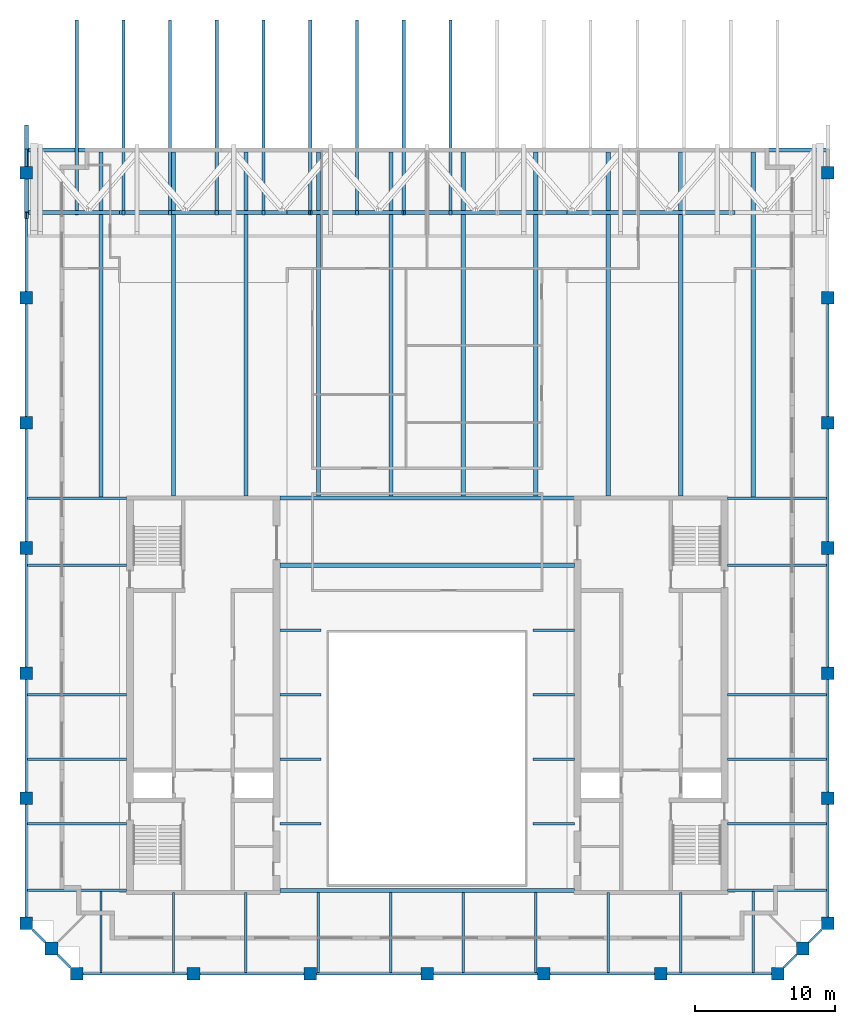
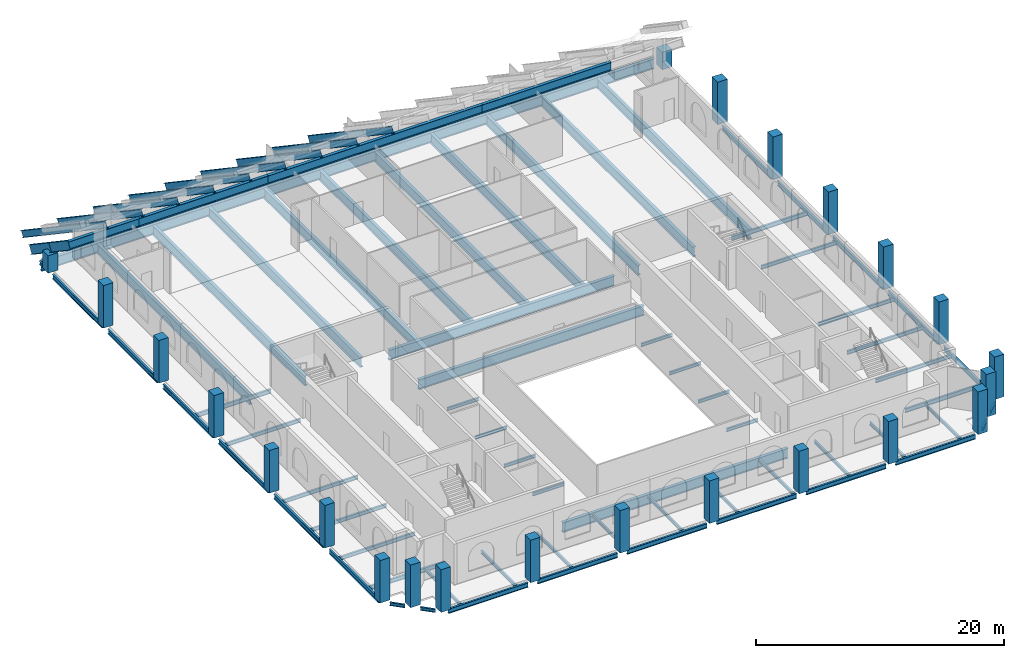
# One storey, part 1 of 9: 72 beams, 23 columns, 9 members.
"""IFC4 building model written with IfcOpenShell, lengths in metres."""

from ifc_helpers import new_model, si_unit, direction, frame, origin, origin_2d, place, context, subcontext, project, spatial, rectangle, i_section, extrude, material, material_profile, profile_set, type_object, element, save


model = new_model("IFC4")

# Units and contexts
model_context = context("Model", 3, precision=1e-05, world=origin(), true_north=direction((0.0, 1.0)))
body_context = subcontext(model_context, "Body", "Model", "MODEL_VIEW")
ifc_project = project(units=[si_unit("LENGTHUNIT", "METRE"), si_unit("AREAUNIT", "SQUARE_METRE"), si_unit("VOLUMEUNIT", "CUBIC_METRE"), si_unit("PLANEANGLEUNIT", "RADIAN"), si_unit("MASSUNIT", "GRAM", prefix="KILO")], contexts=[model_context])

# Site, building, storey
site_placement = place(None, origin())
site = spatial("IfcSite", under=ifc_project, at=site_placement, CompositionType="ELEMENT")
building_placement = place(site_placement, origin())
building = spatial("IfcBuilding", under=site, at=building_placement, Name="Ogive Exchange Tower", CompositionType="ELEMENT")
storey_placement = place(building_placement, frame((0.0, 0.0, 373.199951171875)))
storey = spatial("IfcBuildingStorey", under=building, at=storey_placement, Name="C02", CompositionType="ELEMENT", Elevation=373.199951171875)

# Columns
ifc_material_1 = material(Name="Precast concrete C70/85 (limestone faced)", Category="masonry")
ifc_material_profile_1 = material_profile(ifc_material_1, rectangle(XDim=0.89990234375, YDim=0.89990234375, at=origin_2d()), Name="900 x 900")
ifc_profile_set_1 = profile_set([ifc_material_profile_1], Name="Precast concrete C70/85 (limestone faced)")
column_type = type_object("IfcColumnType", Name="Precast exoskeleton leg 900 x 900 C70/85", PredefinedType="COLUMN", material=ifc_profile_set_1)
for number, where, z_axis, x_axis, name in (
    (1, (-25.050048828125, -8.39990234375, 0.0), (0.0, 0.0, 1.0), (1.0, 0.0, 0.0), "Crown leg 1"),
    (2, (-16.699951171875, -8.39990234375, 0.0), (0.0, 0.0, 1.0), (1.0, 0.0, 0.0), "Crown leg 2"),
    (3, (-8.35009765625, -8.39990234375, 0.0), (0.0, 0.0, 1.0), (1.0, 0.0, 0.0), "Crown leg 3"),
    (4, (0.0, -8.39990234375, 0.0), (0.0, 0.0, 1.0), (1.0, 0.0, 0.0), "Crown leg 4"),
    (5, (8.35009765625, -8.39990234375, 0.0), (0.0, 0.0, 1.0), (1.0, 0.0, 0.0), "Crown leg 5"),
    (6, (16.699951171875, -8.39990234375, 0.0), (0.0, 0.0, 1.0), (1.0, 0.0, 0.0), "Crown leg 6"),
    (7, (25.050048828125, -8.39990234375, 0.0), (0.0, 0.0, 1.0), (1.0, 0.0, 0.0), "Crown leg 7"),
    (8, (28.64990234375, -4.800048828125, 0.0), (0.0, 0.0, 1.0), (1.0, 0.0, 0.0), "Crown leg 8"),
    (9, (28.64990234375, 4.142822265625, 0.0), (0.0, 0.0, 1.0), (1.0, 0.0, 0.0), "Crown leg 9"),
    (10, (28.64990234375, 13.085693359375, 0.0), (0.0, 0.0, 1.0), (1.0, 0.0, 0.0), "Crown leg 10"),
    (11, (28.64990234375, 22.028564453125, 0.0), (0.0, 0.0, 1.0), (1.0, 0.0, 0.0), "Crown leg 11"),
    (12, (28.64990234375, 30.971435546875, 0.0), (0.0, 0.0, 1.0), (1.0, 0.0, 0.0), "Crown leg 12"),
    (13, (28.64990234375, 39.914306640625, 0.0), (0.0, 0.0, 1.0), (1.0, 0.0, 0.0), "Crown leg 13"),
):
    element("IfcColumn", number, at=place(storey_placement, frame(where, z_axis=z_axis, x_axis=x_axis)), inside=storey, type_object=column_type, Name=name, PredefinedType="COLUMN", context=body_context, shape_type="SweptSolid", body=[
        extrude(rectangle(XDim=0.89990234375, YDim=0.89990234375, at=origin_2d()), origin(), (0.0, 0.0, 1.0), 4.199951171875),
    ])
for number, where, z_axis, x_axis, name in (
    (14, (28.64990234375, 48.857177734375, 0.0), (0.0, 0.0, 1.0), (1.0, 0.0, 0.0), "Crown leg 14"),
    (15, (-28.64990234375, 48.857177734375, 0.0), (0.0, 0.0, 1.0), (1.0, 0.0, 0.0), "Crown leg 24"),
):
    element("IfcColumn", number, at=place(storey_placement, frame(where, z_axis=z_axis, x_axis=x_axis)), inside=storey, type_object=column_type, Name=name, PredefinedType="COLUMN", context=body_context, shape_type="SweptSolid", body=[
        extrude(rectangle(XDim=0.89990234375, YDim=0.89990234375, at=origin_2d()), origin(), (0.0, 0.0, 1.0), 1.718994140625),
    ])
for number, where, z_axis, x_axis, name in (
    (16, (-28.64990234375, 39.914306640625, 0.0), (0.0, 0.0, 1.0), (1.0, 0.0, 0.0), "Crown leg 25"),
    (17, (-28.64990234375, 30.971435546875, 0.0), (0.0, 0.0, 1.0), (1.0, 0.0, 0.0), "Crown leg 26"),
    (18, (-28.64990234375, 22.028564453125, 0.0), (0.0, 0.0, 1.0), (1.0, 0.0, 0.0), "Crown leg 27"),
    (19, (-28.64990234375, 13.085693359375, 0.0), (0.0, 0.0, 1.0), (1.0, 0.0, 0.0), "Crown leg 28"),
    (20, (-28.64990234375, 4.142822265625, 0.0), (0.0, 0.0, 1.0), (1.0, 0.0, 0.0), "Crown leg 29"),
    (21, (-28.64990234375, -4.800048828125, 0.0), (0.0, 0.0, 1.0), (1.0, 0.0, 0.0), "Crown leg 30"),
    (22, (26.85009765625, -6.60009765625, 0.0), (0.0, 0.0, 1.0), (1.0, 0.0, 0.0), "Crown leg 31"),
    (23, (-26.85009765625, -6.60009765625, 0.0), (0.0, 0.0, 1.0), (1.0, 0.0, 0.0), "Crown leg 34"),
):
    element("IfcColumn", number, at=place(storey_placement, frame(where, z_axis=z_axis, x_axis=x_axis)), inside=storey, type_object=column_type, Name=name, PredefinedType="COLUMN", context=body_context, shape_type="SweptSolid", body=[
        extrude(rectangle(XDim=0.89990234375, YDim=0.89990234375, at=origin_2d()), origin(), (0.0, 0.0, 1.0), 4.199951171875),
    ])

# Beams
ifc_material_2 = material(Name="Steel ASTM A992 Gr50", Category="steel")
ifc_material_profile_2 = material_profile(ifc_material_2, i_section(OverallWidth=0.2919921875, OverallDepth=0.8359375, WebThickness=0.013916015625, FlangeThickness=0.018798828125, at=origin_2d()), Name="W840x176")
ifc_profile_set_2 = profile_set([ifc_material_profile_2], Name="Steel ASTM A992 Gr50")
beam_type_1 = type_object("IfcBeamType", Name="Crown purlin W840x176", PredefinedType="BEAM", material=ifc_profile_set_2)
beam_1_placement = place(storey_placement, frame((-28.64990234375, 46.0, 4.06396484375), z_axis=(1.0, 0.0, 0.0), x_axis=(0.0, 1.0, 0.0)))
element("IfcBeam", 24, at=beam_1_placement, inside=storey, type_object=beam_type_1, Name="Crown purlin", PredefinedType="BEAM", context=body_context, shape_type="SweptSolid", body=[
    extrude(i_section(OverallWidth=0.2919921875, OverallDepth=0.8359375, WebThickness=0.013916015625, FlangeThickness=0.018798828125, at=origin_2d()), origin(), (0.0, 0.0, 1.0), 6.64990234375),
])
beam_2_placement = place(storey_placement, frame((-22.0, 46.0, 4.06396484375), z_axis=(1.0, 0.0, 0.0), x_axis=(0.0, 1.0, 0.0)))
element("IfcBeam", 25, at=beam_2_placement, inside=storey, type_object=beam_type_1, Name="Crown purlin", PredefinedType="BEAM", context=body_context, shape_type="SweptSolid", body=[
    extrude(i_section(OverallWidth=0.2919921875, OverallDepth=0.8359375, WebThickness=0.013916015625, FlangeThickness=0.018798828125, at=origin_2d()), origin(), (0.0, 0.0, 1.0), 12.0),
])
beam_3_placement = place(storey_placement, frame((-10.0, 46.0, 4.06396484375), z_axis=(1.0, 0.0, 0.0), x_axis=(0.0, 1.0, 0.0)))
element("IfcBeam", 26, at=beam_3_placement, inside=storey, type_object=beam_type_1, Name="Crown purlin", PredefinedType="BEAM", context=body_context, shape_type="SweptSolid", body=[
    extrude(i_section(OverallWidth=0.2919921875, OverallDepth=0.8359375, WebThickness=0.013916015625, FlangeThickness=0.018798828125, at=origin_2d()), origin(), (0.0, 0.0, 1.0), 20.0),
])
beam_4_placement = place(storey_placement, frame((10.0, 46.0, 4.06396484375), z_axis=(1.0, 0.0, 0.0), x_axis=(0.0, 1.0, 0.0)))
element("IfcBeam", 27, at=beam_4_placement, inside=storey, type_object=beam_type_1, Name="Crown purlin", PredefinedType="BEAM", context=body_context, shape_type="SweptSolid", body=[
    extrude(i_section(OverallWidth=0.2919921875, OverallDepth=0.8359375, WebThickness=0.013916015625, FlangeThickness=0.018798828125, at=origin_2d()), origin(), (0.0, 0.0, 1.0), 12.0),
])

# Members
ifc_material_profile_3 = material_profile(ifc_material_2, i_section(OverallWidth=0.22900390625, OverallDepth=0.612060546875, WebThickness=0.011962890625, FlangeThickness=0.01953125, at=origin_2d()), Name="W610x125")
ifc_profile_set_3 = profile_set([ifc_material_profile_3], Name="Steel ASTM A992 Gr50")
member_type = type_object("IfcMemberType", Name="Crown rafter W610x125", PredefinedType="RAFTER", material=ifc_profile_set_3)
for number, where, z_axis, x_axis, name in (
    (28, (-25.050048828125, 46.0, 4.850830078125), (0.0, 0.829045654715, -0.559180920989), (-1.0, 0.0, 0.0), "Crown rafter"),
    (29, (-21.7099609375, 46.0, 4.850830078125), (0.0, 0.829045654715, -0.559180920989), (-1.0, 0.0, 0.0), "Crown rafter"),
    (30, (-18.3701171875, 46.0, 4.850830078125), (0.0, 0.829045654715, -0.559180920989), (-1.0, 0.0, 0.0), "Crown rafter"),
    (31, (-15.030029296875, 46.0, 4.850830078125), (0.0, 0.829045654715, -0.559180920989), (-1.0, 0.0, 0.0), "Crown rafter"),
    (32, (-11.68994140625, 46.0, 4.850830078125), (0.0, 0.829045654715, -0.559180920989), (-1.0, 0.0, 0.0), "Crown rafter"),
    (33, (-8.35009765625, 46.0, 4.850830078125), (0.0, 0.829045654715, -0.559180920989), (-1.0, 0.0, 0.0), "Crown rafter"),
    (34, (-5.010009765625, 46.0, 4.850830078125), (0.0, 0.829045654715, -0.559180920989), (-1.0, 0.0, 0.0), "Crown rafter"),
    (35, (-1.669921875, 46.0, 4.850830078125), (0.0, 0.829045654715, -0.559180920989), (-1.0, 0.0, 0.0), "Crown rafter"),
    (36, (1.669921875, 46.0, 4.850830078125), (0.0, 0.829045654715, -0.559180920989), (-1.0, 0.0, 0.0), "Crown rafter"),
):
    element("IfcMember", number, at=place(storey_placement, frame(where, z_axis=z_axis, x_axis=x_axis)), inside=storey, type_object=member_type, Name=name, PredefinedType="RAFTER", context=body_context, shape_type="SweptSolid", body=[
        extrude(i_section(OverallWidth=0.22900390625, OverallDepth=0.612060546875, WebThickness=0.011962890625, FlangeThickness=0.01953125, at=origin_2d()), origin(), (0.0, 0.0, 1.0), 16.404541015625),
    ])

# Beams
ifc_material_profile_4 = material_profile(ifc_material_2, i_section(OverallWidth=0.2919921875, OverallDepth=0.8359375, WebThickness=0.013916015625, FlangeThickness=0.018798828125, at=origin_2d()), Name="W840x176")
ifc_profile_set_4 = profile_set([ifc_material_profile_4], Name="Steel ASTM A992 Gr50")
beam_type_2 = type_object("IfcBeamType", Name="Crown raking ring beam W840x176", PredefinedType="BEAM", material=ifc_profile_set_4)
beam_5_placement = place(storey_placement, frame((-28.64990234375, 52.025390625, 0.0), z_axis=(0.0, -0.829040446051, 0.559188643314), x_axis=(1.0, 0.0, 0.0)))
element("IfcBeam", 37, at=beam_5_placement, inside=storey, type_object=beam_type_2, Name="Crown ring beam 26", PredefinedType="BEAM", context=body_context, shape_type="SweptSolid", body=[
    extrude(i_section(OverallWidth=0.2919921875, OverallDepth=0.8359375, WebThickness=0.013916015625, FlangeThickness=0.018798828125, at=origin_2d()), origin(), (0.0, 0.0, 1.0), 3.821533203125),
])
beam_6_placement = place(storey_placement, frame((-28.64990234375, 48.857177734375, 2.136962890625), z_axis=(0.0, -0.829045018091, 0.559181864852), x_axis=(1.0, 0.0, 0.0)))
element("IfcBeam", 38, at=beam_6_placement, inside=storey, type_object=beam_type_2, Name="Crown ring beam 27", PredefinedType="BEAM", context=body_context, shape_type="SweptSolid", body=[
    extrude(i_section(OverallWidth=0.2919921875, OverallDepth=0.8359375, WebThickness=0.013916015625, FlangeThickness=0.018798828125, at=origin_2d()), origin(), (0.0, 0.0, 1.0), 3.689208984375),
])
ifc_material_profile_5 = material_profile(ifc_material_2, i_section(OverallWidth=0.300048828125, OverallDepth=0.97998046875, WebThickness=0.0166015625, FlangeThickness=0.026123046875, at=origin_2d()), Name="W1000x249")
ifc_profile_set_5 = profile_set([ifc_material_profile_5], Name="Steel ASTM A992 Gr50")
beam_type_3 = type_object("IfcBeamType", Name="Floor beam W1000x249", PredefinedType="JOIST", material=ifc_profile_set_5)
beam_7_placement = place(storey_placement, frame((-10.52001953125, 20.797607421875, -0.68994140625), z_axis=(1.0, 0.0, 0.0), x_axis=(0.0, 1.0, 0.0)))
element("IfcBeam", 39, at=beam_7_placement, inside=storey, type_object=beam_type_3, Name="Floor beam", PredefinedType="JOIST", context=body_context, shape_type="SweptSolid", body=[
    extrude(i_section(OverallWidth=0.300048828125, OverallDepth=0.97998046875, WebThickness=0.0166015625, FlangeThickness=0.026123046875, at=origin_2d()), origin(), (0.0, 0.0, 1.0), 21.0400390625),
])
beam_8_placement = place(storey_placement, frame((-23.314208984375, 25.68408203125, -0.68994140625), z_axis=(0.0, 1.0, 0.0), x_axis=(-1.0, 0.0, 0.0)))
element("IfcBeam", 40, at=beam_8_placement, inside=storey, type_object=beam_type_3, Name="Floor beam", PredefinedType="JOIST", context=body_context, shape_type="SweptSolid", body=[
    extrude(i_section(OverallWidth=0.300048828125, OverallDepth=0.97998046875, WebThickness=0.0166015625, FlangeThickness=0.026123046875, at=origin_2d()), origin(), (0.0, 0.0, 1.0), 24.638916015625),
])
for number, where, z_axis, x_axis, name in (
    (41, (-18.13330078125, 25.75, -0.68994140625), (0.0, 1.0, 0.0), (-1.0, 0.0, 0.0), "Floor beam"),
    (42, (-12.952392578125, 25.75, -0.68994140625), (0.0, 1.0, 0.0), (-1.0, 0.0, 0.0), "Floor beam"),
):
    element("IfcBeam", number, at=place(storey_placement, frame(where, z_axis=z_axis, x_axis=x_axis)), inside=storey, type_object=beam_type_3, Name=name, PredefinedType="JOIST", context=body_context, shape_type="SweptSolid", body=[
        extrude(i_section(OverallWidth=0.300048828125, OverallDepth=0.97998046875, WebThickness=0.0166015625, FlangeThickness=0.026123046875, at=origin_2d()), origin(), (0.0, 0.0, 1.0), 24.572998046875),
    ])
for number, where, z_axis, x_axis, name in (
    (43, (-7.771484375, 25.7451171875, -0.68994140625), (0.0, 1.0, 0.0), (-1.0, 0.0, 0.0), "Floor beam"),
    (44, (-2.590576171875, 25.7451171875, -0.68994140625), (0.0, 1.0, 0.0), (-1.0, 0.0, 0.0), "Floor beam"),
    (45, (2.590576171875, 25.7451171875, -0.68994140625), (0.0, 1.0, 0.0), (-1.0, 0.0, 0.0), "Floor beam"),
    (46, (7.771484375, 25.7451171875, -0.68994140625), (0.0, 1.0, 0.0), (-1.0, 0.0, 0.0), "Floor beam"),
):
    element("IfcBeam", number, at=place(storey_placement, frame(where, z_axis=z_axis, x_axis=x_axis)), inside=storey, type_object=beam_type_3, Name=name, PredefinedType="JOIST", context=body_context, shape_type="SweptSolid", body=[
        extrude(i_section(OverallWidth=0.300048828125, OverallDepth=0.97998046875, WebThickness=0.0166015625, FlangeThickness=0.026123046875, at=origin_2d()), origin(), (0.0, 0.0, 1.0), 24.577880859375),
    ])
for number, where, z_axis, x_axis, name in (
    (47, (12.952392578125, 25.75, -0.68994140625), (0.0, 1.0, 0.0), (-1.0, 0.0, 0.0), "Floor beam"),
    (48, (18.13330078125, 25.75, -0.68994140625), (0.0, 1.0, 0.0), (-1.0, 0.0, 0.0), "Floor beam"),
):
    element("IfcBeam", number, at=place(storey_placement, frame(where, z_axis=z_axis, x_axis=x_axis)), inside=storey, type_object=beam_type_3, Name=name, PredefinedType="JOIST", context=body_context, shape_type="SweptSolid", body=[
        extrude(i_section(OverallWidth=0.300048828125, OverallDepth=0.97998046875, WebThickness=0.0166015625, FlangeThickness=0.026123046875, at=origin_2d()), origin(), (0.0, 0.0, 1.0), 24.572998046875),
    ])
beam_9_placement = place(storey_placement, frame((23.314208984375, 25.68408203125, -0.68994140625), z_axis=(0.0, 1.0, 0.0), x_axis=(-1.0, 0.0, 0.0)))
element("IfcBeam", 49, at=beam_9_placement, inside=storey, type_object=beam_type_3, Name="Floor beam", PredefinedType="JOIST", context=body_context, shape_type="SweptSolid", body=[
    extrude(i_section(OverallWidth=0.300048828125, OverallDepth=0.97998046875, WebThickness=0.0166015625, FlangeThickness=0.026123046875, at=origin_2d()), origin(), (0.0, 0.0, 1.0), 24.638916015625),
])
ifc_material_profile_6 = material_profile(ifc_material_2, i_section(OverallWidth=0.1650390625, OverallDepth=0.31005859375, WebThickness=0.005859375, FlangeThickness=0.009765625, at=origin_2d()), Name="W310x38.7")
ifc_profile_set_6 = profile_set([ifc_material_profile_6], Name="Steel ASTM A992 Gr50")
beam_type_4 = type_object("IfcBeamType", Name="Floor beam W310x38.7", PredefinedType="JOIST", material=ifc_profile_set_6)
for number, where, z_axis, x_axis, name in (
    (50, (-10.52001953125, 2.3212890625, -0.35498046875), (1.0, 0.0, 0.0), (0.0, 1.0, 0.0), "Floor beam"),
    (51, (7.570068359375, 2.3212890625, -0.35498046875), (1.0, 0.0, 0.0), (0.0, 1.0, 0.0), "Floor beam"),
    (52, (-10.52001953125, 6.9326171875, -0.35498046875), (1.0, 0.0, 0.0), (0.0, 1.0, 0.0), "Floor beam"),
    (53, (7.570068359375, 6.9326171875, -0.35498046875), (1.0, 0.0, 0.0), (0.0, 1.0, 0.0), "Floor beam"),
    (54, (-10.52001953125, 11.543701171875, -0.35498046875), (1.0, 0.0, 0.0), (0.0, 1.0, 0.0), "Floor beam"),
    (55, (7.570068359375, 11.543701171875, -0.35498046875), (1.0, 0.0, 0.0), (0.0, 1.0, 0.0), "Floor beam"),
):
    element("IfcBeam", number, at=place(storey_placement, frame(where, z_axis=z_axis, x_axis=x_axis)), inside=storey, type_object=beam_type_4, Name=name, PredefinedType="JOIST", context=body_context, shape_type="SweptSolid", body=[
        extrude(i_section(OverallWidth=0.1650390625, OverallDepth=0.31005859375, WebThickness=0.005859375, FlangeThickness=0.009765625, at=origin_2d()), origin(), (0.0, 0.0, 1.0), 2.949951171875),
    ])
beam_10_placement = place(storey_placement, frame((-23.314208984375, -8.304443359375, -0.35498046875), z_axis=(0.0, 1.0, 0.0), x_axis=(-1.0, 0.0, 0.0)))
element("IfcBeam", 56, at=beam_10_placement, inside=storey, type_object=beam_type_4, Name="Floor beam", PredefinedType="JOIST", context=body_context, shape_type="SweptSolid", body=[
    extrude(i_section(OverallWidth=0.1650390625, OverallDepth=0.31005859375, WebThickness=0.005859375, FlangeThickness=0.009765625, at=origin_2d()), origin(), (0.0, 0.0, 1.0), 5.7705078125),
])
for number, where, z_axis, x_axis, name in (
    (57, (-18.13330078125, -8.304443359375, -0.35498046875), (0.0, 1.0, 0.0), (-1.0, 0.0, 0.0), "Floor beam"),
    (58, (-12.952392578125, -8.304443359375, -0.35498046875), (0.0, 1.0, 0.0), (-1.0, 0.0, 0.0), "Floor beam"),
):
    element("IfcBeam", number, at=place(storey_placement, frame(where, z_axis=z_axis, x_axis=x_axis)), inside=storey, type_object=beam_type_4, Name=name, PredefinedType="JOIST", context=body_context, shape_type="SweptSolid", body=[
        extrude(i_section(OverallWidth=0.1650390625, OverallDepth=0.31005859375, WebThickness=0.005859375, FlangeThickness=0.009765625, at=origin_2d()), origin(), (0.0, 0.0, 1.0), 5.704345703125),
    ])
for number, where, z_axis, x_axis, name in (
    (59, (-7.771484375, -8.304443359375, -0.35498046875), (0.0, 1.0, 0.0), (-1.0, 0.0, 0.0), "Floor beam"),
    (60, (-2.590576171875, -8.304443359375, -0.35498046875), (0.0, 1.0, 0.0), (-1.0, 0.0, 0.0), "Floor beam"),
    (61, (2.590576171875, -8.304443359375, -0.35498046875), (0.0, 1.0, 0.0), (-1.0, 0.0, 0.0), "Floor beam"),
    (62, (7.771484375, -8.304443359375, -0.35498046875), (0.0, 1.0, 0.0), (-1.0, 0.0, 0.0), "Floor beam"),
):
    element("IfcBeam", number, at=place(storey_placement, frame(where, z_axis=z_axis, x_axis=x_axis)), inside=storey, type_object=beam_type_4, Name=name, PredefinedType="JOIST", context=body_context, shape_type="SweptSolid", body=[
        extrude(i_section(OverallWidth=0.1650390625, OverallDepth=0.31005859375, WebThickness=0.005859375, FlangeThickness=0.009765625, at=origin_2d()), origin(), (0.0, 0.0, 1.0), 5.70947265625),
    ])
for number, where, z_axis, x_axis, name in (
    (63, (12.952392578125, -8.304443359375, -0.35498046875), (0.0, 1.0, 0.0), (-1.0, 0.0, 0.0), "Floor beam"),
    (64, (18.13330078125, -8.304443359375, -0.35498046875), (0.0, 1.0, 0.0), (-1.0, 0.0, 0.0), "Floor beam"),
):
    element("IfcBeam", number, at=place(storey_placement, frame(where, z_axis=z_axis, x_axis=x_axis)), inside=storey, type_object=beam_type_4, Name=name, PredefinedType="JOIST", context=body_context, shape_type="SweptSolid", body=[
        extrude(i_section(OverallWidth=0.1650390625, OverallDepth=0.31005859375, WebThickness=0.005859375, FlangeThickness=0.009765625, at=origin_2d()), origin(), (0.0, 0.0, 1.0), 5.704345703125),
    ])
beam_11_placement = place(storey_placement, frame((23.314208984375, -8.304443359375, -0.35498046875), z_axis=(0.0, 1.0, 0.0), x_axis=(-1.0, 0.0, 0.0)))
element("IfcBeam", 65, at=beam_11_placement, inside=storey, type_object=beam_type_4, Name="Floor beam", PredefinedType="JOIST", context=body_context, shape_type="SweptSolid", body=[
    extrude(i_section(OverallWidth=0.1650390625, OverallDepth=0.31005859375, WebThickness=0.005859375, FlangeThickness=0.009765625, at=origin_2d()), origin(), (0.0, 0.0, 1.0), 5.7705078125),
])
ifc_material_profile_7 = material_profile(ifc_material_2, i_section(OverallWidth=0.1708984375, OverallDepth=0.35595703125, WebThickness=0.00732421875, FlangeThickness=0.01171875, at=origin_2d()), Name="W360x51")
ifc_profile_set_7 = profile_set([ifc_material_profile_7], Name="Steel ASTM A992 Gr50")
beam_type_5 = type_object("IfcBeamType", Name="Floor beam W360x51", PredefinedType="JOIST", material=ifc_profile_set_7)
for number, where, z_axis, x_axis, name in (
    (66, (-28.554443359375, 2.3212890625, -0.3779296875), (1.0, 0.0, 0.0), (0.0, 1.0, 0.0), "Floor beam"),
    (67, (21.47998046875, 2.3212890625, -0.3779296875), (1.0, 0.0, 0.0), (0.0, 1.0, 0.0), "Floor beam"),
    (68, (-28.554443359375, 6.9326171875, -0.3779296875), (1.0, 0.0, 0.0), (0.0, 1.0, 0.0), "Floor beam"),
    (69, (21.47998046875, 6.9326171875, -0.3779296875), (1.0, 0.0, 0.0), (0.0, 1.0, 0.0), "Floor beam"),
    (70, (-28.554443359375, 11.543701171875, -0.3779296875), (1.0, 0.0, 0.0), (0.0, 1.0, 0.0), "Floor beam"),
    (71, (21.47998046875, 11.543701171875, -0.3779296875), (1.0, 0.0, 0.0), (0.0, 1.0, 0.0), "Floor beam"),
    (72, (-28.554443359375, 20.797607421875, -0.3779296875), (1.0, 0.0, 0.0), (0.0, 1.0, 0.0), "Floor beam"),
    (73, (21.47998046875, 20.797607421875, -0.3779296875), (1.0, 0.0, 0.0), (0.0, 1.0, 0.0), "Floor beam"),
):
    element("IfcBeam", number, at=place(storey_placement, frame(where, z_axis=z_axis, x_axis=x_axis)), inside=storey, type_object=beam_type_5, Name=name, PredefinedType="JOIST", context=body_context, shape_type="SweptSolid", body=[
        extrude(i_section(OverallWidth=0.1708984375, OverallDepth=0.35595703125, WebThickness=0.00732421875, FlangeThickness=0.01171875, at=origin_2d()), origin(), (0.0, 0.0, 1.0), 7.074462890625),
    ])
ifc_material_profile_8 = material_profile(ifc_material_2, i_section(OverallWidth=0.300048828125, OverallDepth=0.97998046875, WebThickness=0.0166015625, FlangeThickness=0.026123046875, at=origin_2d()), Name="W1000x249")
ifc_profile_set_8 = profile_set([ifc_material_profile_8], Name="Steel ASTM A992 Gr50")
beam_type_6 = type_object("IfcBeamType", Name="Girder W1000x249", PredefinedType="BEAM", material=ifc_profile_set_8)
beam_12_placement = place(storey_placement, frame((-28.5673828125, 50.472900390625, -0.68994140625), z_axis=(1.0, 0.0, 0.0), x_axis=(0.0, 1.0, 0.0)))
element("IfcBeam", 74, at=beam_12_placement, inside=storey, type_object=beam_type_6, Name="Trimmer girder", PredefinedType="BEAM", context=body_context, shape_type="SweptSolid", body=[
    extrude(i_section(OverallWidth=0.300048828125, OverallDepth=0.97998046875, WebThickness=0.0166015625, FlangeThickness=0.026123046875, at=origin_2d()), origin(), (0.0, 0.0, 1.0), 57.134765625),
])
for number, where, z_axis, x_axis, name in (
    (75, (-10.52001953125, -2.445068359375, -0.68994140625), (1.0, 0.0, 0.0), (0.0, 1.0, 0.0), "Header girder"),
    (76, (-10.52001953125, 25.594970703125, -0.68994140625), (1.0, 0.0, 0.0), (0.0, 1.0, 0.0), "Header girder"),
):
    element("IfcBeam", number, at=place(storey_placement, frame(where, z_axis=z_axis, x_axis=x_axis)), inside=storey, type_object=beam_type_6, Name=name, PredefinedType="BEAM", context=body_context, shape_type="SweptSolid", body=[
        extrude(i_section(OverallWidth=0.300048828125, OverallDepth=0.97998046875, WebThickness=0.0166015625, FlangeThickness=0.026123046875, at=origin_2d()), origin(), (0.0, 0.0, 1.0), 21.0400390625),
    ])
ifc_material_profile_9 = material_profile(ifc_material_2, i_section(OverallWidth=0.1650390625, OverallDepth=0.31005859375, WebThickness=0.005859375, FlangeThickness=0.009765625, at=origin_2d()), Name="W310x38.7")
ifc_profile_set_9 = profile_set([ifc_material_profile_9], Name="Steel ASTM A992 Gr50")
beam_type_7 = type_object("IfcBeamType", Name="Girder W310x38.7", PredefinedType="BEAM", material=ifc_profile_set_9)
beam_13_placement = place(storey_placement, frame((-28.64990234375, 50.532958984375, -0.35498046875), z_axis=(0.0, -1.0, 0.0), x_axis=(1.0, 0.0, 0.0)))
element("IfcBeam", 77, at=beam_13_placement, inside=storey, type_object=beam_type_7, Name="Girder", PredefinedType="BEAM", context=body_context, shape_type="SweptSolid", body=[
    extrude(i_section(OverallWidth=0.1650390625, OverallDepth=0.31005859375, WebThickness=0.005859375, FlangeThickness=0.009765625, at=origin_2d()), origin(), (0.0, 0.0, 1.0), 1.225830078125),
])
for number, where, z_axis, x_axis, name in (
    (78, (-28.199951171875, -5.25, -0.35498046875), (0.707106781187, -0.707106781187, 0.0), (0.707106781187, 0.707106781187, 0.0), "Girder"),
    (79, (-26.39990234375, -7.050048828125, -0.35498046875), (0.707106781187, -0.707106781187, 0.0), (0.707106781187, 0.707106781187, 0.0), "Girder"),
    (80, (25.5, -7.949951171875, -0.35498046875), (0.707106781187, 0.707106781187, 0.0), (-0.707106781187, 0.707106781187, 0.0), "Girder"),
    (81, (27.300048828125, -6.14990234375, -0.35498046875), (0.707106781187, 0.707106781187, 0.0), (-0.707106781187, 0.707106781187, 0.0), "Girder"),
):
    element("IfcBeam", number, at=place(storey_placement, frame(where, z_axis=z_axis, x_axis=x_axis)), inside=storey, type_object=beam_type_7, Name=name, PredefinedType="BEAM", context=body_context, shape_type="SweptSolid", body=[
        extrude(i_section(OverallWidth=0.1650390625, OverallDepth=0.31005859375, WebThickness=0.005859375, FlangeThickness=0.009765625, at=origin_2d()), origin(), (0.0, 0.0, 1.0), 1.272705078125),
    ])
for number, where, z_axis, x_axis, name in (
    (82, (-10.52001953125, 16.155029296875, -0.35498046875), (1.0, 0.0, 0.0), (0.0, 1.0, 0.0), "Trimmer girder"),
    (83, (7.570068359375, 16.155029296875, -0.35498046875), (1.0, 0.0, 0.0), (0.0, 1.0, 0.0), "Trimmer girder"),
):
    element("IfcBeam", number, at=place(storey_placement, frame(where, z_axis=z_axis, x_axis=x_axis)), inside=storey, type_object=beam_type_7, Name=name, PredefinedType="BEAM", context=body_context, shape_type="SweptSolid", body=[
        extrude(i_section(OverallWidth=0.1650390625, OverallDepth=0.31005859375, WebThickness=0.005859375, FlangeThickness=0.009765625, at=origin_2d()), origin(), (0.0, 0.0, 1.0), 2.949951171875),
    ])
ifc_material_profile_10 = material_profile(ifc_material_2, i_section(OverallWidth=0.177978515625, OverallDepth=0.406005859375, WebThickness=0.0078125, FlangeThickness=0.0126953125, at=origin_2d()), Name="W410x60")
ifc_profile_set_10 = profile_set([ifc_material_profile_10], Name="Steel ASTM A992 Gr50")
beam_type_8 = type_object("IfcBeamType", Name="Girder W410x60", PredefinedType="BEAM", material=ifc_profile_set_10)
for number, where, z_axis, x_axis, name in (
    (84, (-28.554443359375, -2.445068359375, -0.40283203125), (1.0, 0.0, 0.0), (0.0, 1.0, 0.0), "Header girder"),
    (85, (21.47998046875, -2.445068359375, -0.40283203125), (1.0, 0.0, 0.0), (0.0, 1.0, 0.0), "Header girder"),
    (86, (-28.554443359375, 25.594970703125, -0.40283203125), (1.0, 0.0, 0.0), (0.0, 1.0, 0.0), "Header girder"),
    (87, (21.47998046875, 25.594970703125, -0.40283203125), (1.0, 0.0, 0.0), (0.0, 1.0, 0.0), "Header girder"),
):
    element("IfcBeam", number, at=place(storey_placement, frame(where, z_axis=z_axis, x_axis=x_axis)), inside=storey, type_object=beam_type_8, Name=name, PredefinedType="BEAM", context=body_context, shape_type="SweptSolid", body=[
        extrude(i_section(OverallWidth=0.177978515625, OverallDepth=0.406005859375, WebThickness=0.0078125, FlangeThickness=0.0126953125, at=origin_2d()), origin(), (0.0, 0.0, 1.0), 7.074462890625),
    ])
ifc_material_profile_11 = material_profile(ifc_material_2, i_section(OverallWidth=0.19091796875, OverallDepth=0.45703125, WebThickness=0.009033203125, FlangeThickness=0.014404296875, at=origin_2d()), Name="W460x74")
ifc_profile_set_11 = profile_set([ifc_material_profile_11], Name="Steel ASTM A992 Gr50")
beam_type_9 = type_object("IfcBeamType", Name="Girder W460x74", PredefinedType="BEAM", material=ifc_profile_set_11)
beam_14_placement = place(storey_placement, frame((28.64990234375, 31.42138671875, -0.428466796875), z_axis=(0.0, 1.0, 0.0), x_axis=(-1.0, 0.0, 0.0)))
element("IfcBeam", 88, at=beam_14_placement, inside=storey, type_object=beam_type_9, Name="Girder", PredefinedType="BEAM", context=body_context, shape_type="SweptSolid", body=[
    extrude(i_section(OverallWidth=0.19091796875, OverallDepth=0.45703125, WebThickness=0.009033203125, FlangeThickness=0.014404296875, at=origin_2d()), origin(), (0.0, 0.0, 1.0), 8.04296875),
])
beam_15_placement = place(storey_placement, frame((-28.64990234375, 48.406982421875, -0.428466796875), z_axis=(0.0, -1.0, 0.0), x_axis=(1.0, 0.0, 0.0)))
element("IfcBeam", 89, at=beam_15_placement, inside=storey, type_object=beam_type_9, Name="Girder", PredefinedType="BEAM", context=body_context, shape_type="SweptSolid", body=[
    extrude(i_section(OverallWidth=0.19091796875, OverallDepth=0.45703125, WebThickness=0.009033203125, FlangeThickness=0.014404296875, at=origin_2d()), origin(), (0.0, 0.0, 1.0), 8.042724609375),
])
for number, where, z_axis, x_axis, name in (
    (90, (-28.64990234375, 39.46435546875, -0.428466796875), (0.0, -1.0, 0.0), (1.0, 0.0, 0.0), "Girder"),
    (91, (-28.64990234375, 30.521484375, -0.428466796875), (0.0, -1.0, 0.0), (1.0, 0.0, 0.0), "Girder"),
    (92, (-28.64990234375, 21.57861328125, -0.428466796875), (0.0, -1.0, 0.0), (1.0, 0.0, 0.0), "Girder"),
):
    element("IfcBeam", number, at=place(storey_placement, frame(where, z_axis=z_axis, x_axis=x_axis)), inside=storey, type_object=beam_type_9, Name=name, PredefinedType="BEAM", context=body_context, shape_type="SweptSolid", body=[
        extrude(i_section(OverallWidth=0.19091796875, OverallDepth=0.45703125, WebThickness=0.009033203125, FlangeThickness=0.014404296875, at=origin_2d()), origin(), (0.0, 0.0, 1.0), 8.04296875),
    ])
beam_16_placement = place(storey_placement, frame((-28.64990234375, 12.6357421875, -0.428466796875), z_axis=(0.0, -1.0, 0.0), x_axis=(1.0, 0.0, 0.0)))
element("IfcBeam", 93, at=beam_16_placement, inside=storey, type_object=beam_type_9, Name="Girder", PredefinedType="BEAM", context=body_context, shape_type="SweptSolid", body=[
    extrude(i_section(OverallWidth=0.19091796875, OverallDepth=0.45703125, WebThickness=0.009033203125, FlangeThickness=0.014404296875, at=origin_2d()), origin(), (0.0, 0.0, 1.0), 8.042724609375),
])
beam_17_placement = place(storey_placement, frame((-28.64990234375, 3.69287109375, -0.428466796875), z_axis=(0.0, -1.0, 0.0), x_axis=(1.0, 0.0, 0.0)))
element("IfcBeam", 94, at=beam_17_placement, inside=storey, type_object=beam_type_9, Name="Girder", PredefinedType="BEAM", context=body_context, shape_type="SweptSolid", body=[
    extrude(i_section(OverallWidth=0.19091796875, OverallDepth=0.45703125, WebThickness=0.009033203125, FlangeThickness=0.014404296875, at=origin_2d()), origin(), (0.0, 0.0, 1.0), 8.04296875),
])
beam_18_placement = place(storey_placement, frame((-24.60009765625, -8.39990234375, -0.428466796875), z_axis=(1.0, 0.0, 0.0), x_axis=(0.0, 1.0, 0.0)))
element("IfcBeam", 95, at=beam_18_placement, inside=storey, type_object=beam_type_9, Name="Girder", PredefinedType="BEAM", context=body_context, shape_type="SweptSolid", body=[
    extrude(i_section(OverallWidth=0.19091796875, OverallDepth=0.45703125, WebThickness=0.009033203125, FlangeThickness=0.014404296875, at=origin_2d()), origin(), (0.0, 0.0, 1.0), 7.4501953125),
])
for number, where, z_axis, x_axis, name in (
    (96, (-16.25, -8.39990234375, -0.428466796875), (1.0, 0.0, 0.0), (0.0, 1.0, 0.0), "Girder"),
    (97, (-7.89990234375, -8.39990234375, -0.428466796875), (1.0, 0.0, 0.0), (0.0, 1.0, 0.0), "Girder"),
    (98, (0.449951171875, -8.39990234375, -0.428466796875), (1.0, 0.0, 0.0), (0.0, 1.0, 0.0), "Girder"),
    (99, (8.800048828125, -8.39990234375, -0.428466796875), (1.0, 0.0, 0.0), (0.0, 1.0, 0.0), "Girder"),
):
    element("IfcBeam", number, at=place(storey_placement, frame(where, z_axis=z_axis, x_axis=x_axis)), inside=storey, type_object=beam_type_9, Name=name, PredefinedType="BEAM", context=body_context, shape_type="SweptSolid", body=[
        extrude(i_section(OverallWidth=0.19091796875, OverallDepth=0.45703125, WebThickness=0.009033203125, FlangeThickness=0.014404296875, at=origin_2d()), origin(), (0.0, 0.0, 1.0), 7.449951171875),
    ])
beam_19_placement = place(storey_placement, frame((17.14990234375, -8.39990234375, -0.428466796875), z_axis=(1.0, 0.0, 0.0), x_axis=(0.0, 1.0, 0.0)))
element("IfcBeam", 100, at=beam_19_placement, inside=storey, type_object=beam_type_9, Name="Girder", PredefinedType="BEAM", context=body_context, shape_type="SweptSolid", body=[
    extrude(i_section(OverallWidth=0.19091796875, OverallDepth=0.45703125, WebThickness=0.009033203125, FlangeThickness=0.014404296875, at=origin_2d()), origin(), (0.0, 0.0, 1.0), 7.4501953125),
])
beam_20_placement = place(storey_placement, frame((28.64990234375, -4.35009765625, -0.428466796875), z_axis=(0.0, 1.0, 0.0), x_axis=(-1.0, 0.0, 0.0)))
element("IfcBeam", 101, at=beam_20_placement, inside=storey, type_object=beam_type_9, Name="Girder", PredefinedType="BEAM", context=body_context, shape_type="SweptSolid", body=[
    extrude(i_section(OverallWidth=0.19091796875, OverallDepth=0.45703125, WebThickness=0.009033203125, FlangeThickness=0.014404296875, at=origin_2d()), origin(), (0.0, 0.0, 1.0), 8.04296875),
])
beam_21_placement = place(storey_placement, frame((28.64990234375, 4.593017578125, -0.428466796875), z_axis=(0.0, 1.0, 0.0), x_axis=(-1.0, 0.0, 0.0)))
element("IfcBeam", 102, at=beam_21_placement, inside=storey, type_object=beam_type_9, Name="Girder", PredefinedType="BEAM", context=body_context, shape_type="SweptSolid", body=[
    extrude(i_section(OverallWidth=0.19091796875, OverallDepth=0.45703125, WebThickness=0.009033203125, FlangeThickness=0.014404296875, at=origin_2d()), origin(), (0.0, 0.0, 1.0), 8.042724609375),
])
for number, where, z_axis, x_axis, name in (
    (103, (28.64990234375, 13.53564453125, -0.428466796875), (0.0, 1.0, 0.0), (-1.0, 0.0, 0.0), "Girder"),
    (104, (28.64990234375, 22.478515625, -0.428466796875), (0.0, 1.0, 0.0), (-1.0, 0.0, 0.0), "Girder"),
):
    element("IfcBeam", number, at=place(storey_placement, frame(where, z_axis=z_axis, x_axis=x_axis)), inside=storey, type_object=beam_type_9, Name=name, PredefinedType="BEAM", context=body_context, shape_type="SweptSolid", body=[
        extrude(i_section(OverallWidth=0.19091796875, OverallDepth=0.45703125, WebThickness=0.009033203125, FlangeThickness=0.014404296875, at=origin_2d()), origin(), (0.0, 0.0, 1.0), 8.04296875),
    ])

save(model, "model.ifc")
